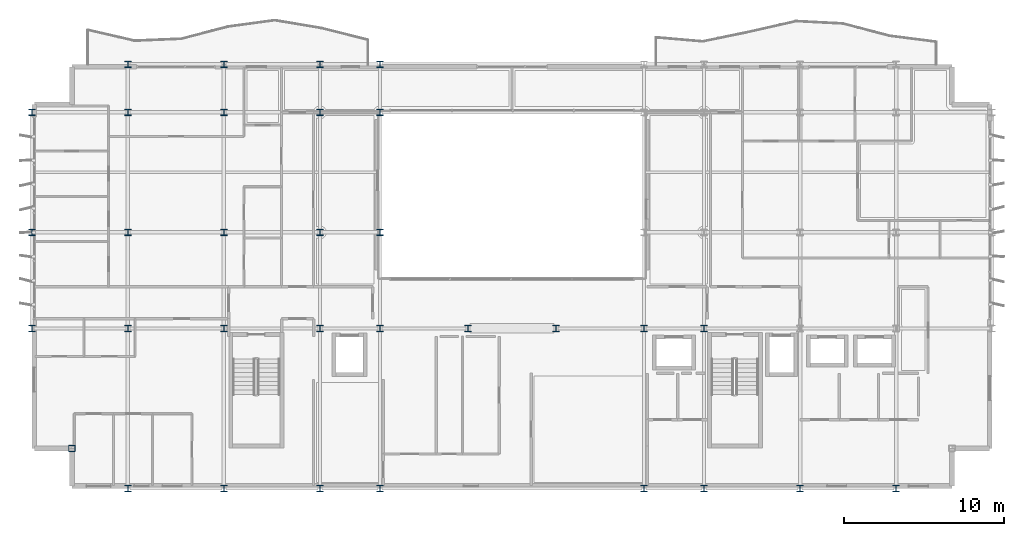
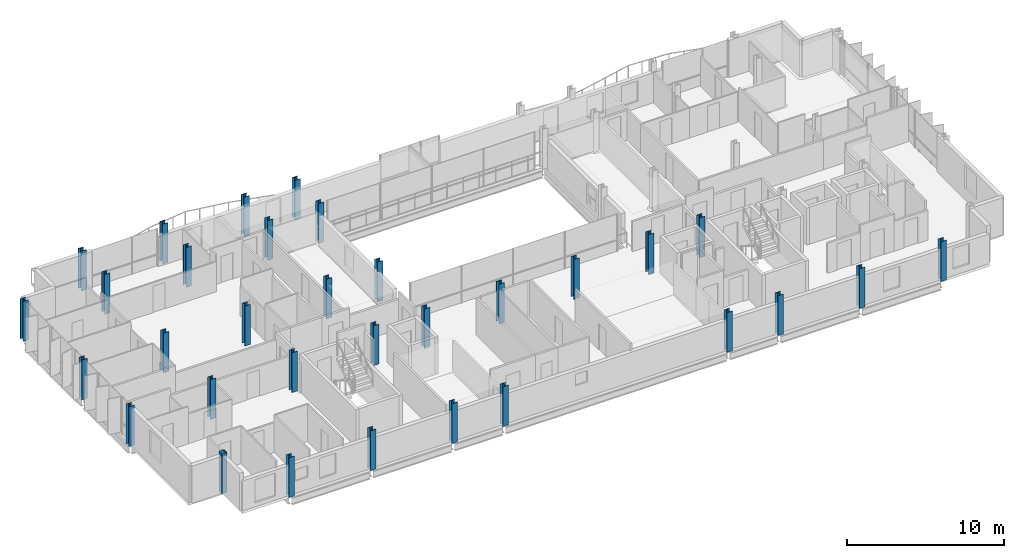
# One storey, part 1 of 38: 32 columns.
"""IFC4 building model written with IfcOpenShell, lengths in metres."""

from ifc_helpers import new_model, si_unit, direction, frame, origin, origin_2d, place, context, subcontext, project, spatial, hollow_rectangle, i_section, extrude, material, material_profile, profile_set, type_object, element, save


model = new_model("IFC4")

# Units and contexts
model_context = context("Model", 3, precision=1e-05, world=origin(), true_north=direction((0.0, 1.0)))
body_context = subcontext(model_context, "Body", "Model", "MODEL_VIEW")
ifc_project = project(units=[si_unit("LENGTHUNIT", "METRE"), si_unit("AREAUNIT", "SQUARE_METRE"), si_unit("VOLUMEUNIT", "CUBIC_METRE"), si_unit("PLANEANGLEUNIT", "RADIAN"), si_unit("MASSUNIT", "GRAM", prefix="KILO")], contexts=[model_context])

# Site, building, storey
site_placement = place(None, origin())
site = spatial("IfcSite", under=ifc_project, at=site_placement, CompositionType="ELEMENT")
building_placement = place(site_placement, origin())
building = spatial("IfcBuilding", under=site, at=building_placement, Name="Brevholm Reach", CompositionType="ELEMENT")
storey_placement = place(building_placement, frame((0.0, 0.0, 186.300048828125)))
storey = spatial("IfcBuildingStorey", under=building, at=storey_placement, Name="L56", CompositionType="ELEMENT", Elevation=186.300048828125)

# Columns
ifc_material_1 = material(Name="Structural Steel S460NH", Category="steel")
ifc_material_profile_1 = material_profile(ifc_material_1, hollow_rectangle(XDim=0.39990234375, YDim=0.39990234375, WallThickness=0.02001953125, InnerFilletRadius=0.011962890625, OuterFilletRadius=0.02392578125, at=origin_2d()), Name="SHS 400x400x20")
ifc_profile_set_1 = profile_set([ifc_material_profile_1], Name="Structural Steel S460NH")
column_type_1 = type_object("IfcColumnType", Name="COL-SHS2", PredefinedType="COLUMN", material=ifc_profile_set_1)
column_placement = place(storey_placement, frame((2.5, 2.5, 0.0), z_axis=(0.0, 0.0, 1.0), x_axis=(1.0, 0.0, 0.0)))
element("IfcColumn", 1, at=column_placement, inside=storey, type_object=column_type_1, Name="L56 Column 04", PredefinedType="COLUMN", context=body_context, shape_type="SweptSolid", body=[
    extrude(hollow_rectangle(XDim=0.39990234375, YDim=0.39990234375, WallThickness=0.02001953125, InnerFilletRadius=0.011962890625, OuterFilletRadius=0.02392578125, at=origin_2d()), origin(), (0.0, 0.0, 1.0), 3.099853515625),
])
ifc_material_2 = material(Name="Structural Steel S355J2", Category="steel")
ifc_material_profile_2 = material_profile(ifc_material_2, i_section(OverallWidth=0.39892578125, OverallDepth=0.3935546875, WebThickness=0.022705078125, FlangeThickness=0.03662109375, FilletRadius=0.01513671875, at=origin_2d()), Name="UKC 356x406x287")
ifc_profile_set_2 = profile_set([ifc_material_profile_2], Name="Structural Steel S355J2")
column_type_2 = type_object("IfcColumnType", Name="COL-UC5B", PredefinedType="COLUMN", material=ifc_profile_set_2)
for number, where, z_axis, x_axis, name in (
    (2, (0.0, 10.0, 0.0), (0.0, 0.0, 1.0), (1.0, 0.0, 0.0), "L56 Column 01"),
    (3, (0.0, 16.0, 0.0), (0.0, 0.0, 1.0), (1.0, 0.0, 0.0), "L56 Column 02"),
    (4, (0.0, 23.5, 0.0), (0.0, 0.0, 1.0), (1.0, 0.0, 0.0), "L56 Column 03"),
    (5, (6.0, 0.0, 0.0), (0.0, 0.0, 1.0), (1.0, 0.0, 0.0), "L56 Column 05"),
    (6, (6.0, 10.0, 0.0), (0.0, 0.0, 1.0), (1.0, 0.0, 0.0), "L56 Column 06"),
    (7, (6.0, 16.0, 0.0), (0.0, 0.0, 1.0), (1.0, 0.0, 0.0), "L56 Column 07"),
    (8, (6.0, 23.5, 0.0), (0.0, 0.0, 1.0), (1.0, 0.0, 0.0), "L56 Column 08"),
    (9, (6.0, 26.5, 0.0), (0.0, 0.0, 1.0), (1.0, 0.0, 0.0), "L56 Column 09"),
    (10, (12.0, 0.0, 0.0), (0.0, 0.0, 1.0), (1.0, 0.0, 0.0), "L56 Column 10"),
    (11, (12.0, 10.0, 0.0), (0.0, 0.0, 1.0), (1.0, 0.0, 0.0), "L56 Column 11"),
    (12, (12.0, 16.0, 0.0), (0.0, 0.0, 1.0), (1.0, 0.0, 0.0), "L56 Column 12"),
    (13, (12.0, 23.5, 0.0), (0.0, 0.0, 1.0), (1.0, 0.0, 0.0), "L56 Column 13"),
    (14, (12.0, 26.5, 0.0), (0.0, 0.0, 1.0), (1.0, 0.0, 0.0), "L56 Column 14"),
    (15, (18.0, 0.0, 0.0), (0.0, 0.0, 1.0), (1.0, 0.0, 0.0), "L56 Column 15"),
    (16, (18.0, 10.0, 0.0), (0.0, 0.0, 1.0), (1.0, 0.0, 0.0), "L56 Column 16"),
    (17, (18.0, 16.0, 0.0), (0.0, 0.0, 1.0), (1.0, 0.0, 0.0), "L56 Column 17"),
    (18, (18.0, 23.5, 0.0), (0.0, 0.0, 1.0), (1.0, 0.0, 0.0), "L56 Column 18"),
    (19, (18.0, 26.5, 0.0), (0.0, 0.0, 1.0), (1.0, 0.0, 0.0), "L56 Column 19"),
    (20, (21.75, 0.0, 0.0), (0.0, 0.0, 1.0), (1.0, 0.0, 0.0), "L56 Column 20"),
    (21, (21.75, 10.0, 0.0), (0.0, 0.0, 1.0), (1.0, 0.0, 0.0), "L56 Column 21"),
    (22, (21.75, 16.0, 0.0), (0.0, 0.0, 1.0), (1.0, 0.0, 0.0), "L56 Column 22"),
    (23, (21.75, 23.5, 0.0), (0.0, 0.0, 1.0), (1.0, 0.0, 0.0), "L56 Column 23"),
    (24, (21.75, 26.5, 0.0), (0.0, 0.0, 1.0), (1.0, 0.0, 0.0), "L56 Column 24"),
    (25, (27.25, 10.0, 0.0), (0.0, 0.0, 1.0), (1.0, 0.0, 0.0), "L56 Column 25"),
    (26, (32.75, 10.0, 0.0), (0.0, 0.0, 1.0), (1.0, 0.0, 0.0), "L56 Column 26"),
    (27, (38.25, 0.0, 0.0), (0.0, 0.0, 1.0), (1.0, 0.0, 0.0), "L56 Column 27"),
    (28, (38.25, 10.0, 0.0), (0.0, 0.0, 1.0), (1.0, 0.0, 0.0), "L56 Column 28"),
    (29, (42.0, 0.0, 0.0), (0.0, 0.0, 1.0), (1.0, 0.0, 0.0), "L56 Column 32"),
    (30, (42.0, 10.0, 0.0), (0.0, 0.0, 1.0), (1.0, 0.0, 0.0), "L56 Column 33"),
    (31, (48.0, 0.0, 0.0), (0.0, 0.0, 1.0), (1.0, 0.0, 0.0), "L56 Column 37"),
    (32, (54.0, 0.0, 0.0), (0.0, 0.0, 1.0), (1.0, 0.0, 0.0), "L56 Column 42"),
):
    element("IfcColumn", number, at=place(storey_placement, frame(where, z_axis=z_axis, x_axis=x_axis)), inside=storey, type_object=column_type_2, Name=name, PredefinedType="COLUMN", context=body_context, shape_type="SweptSolid", body=[
        extrude(i_section(OverallWidth=0.39892578125, OverallDepth=0.3935546875, WebThickness=0.022705078125, FlangeThickness=0.03662109375, FilletRadius=0.01513671875, at=origin_2d()), origin(), (0.0, 0.0, 1.0), 3.099853515625),
    ])

save(model, "model.ifc")
